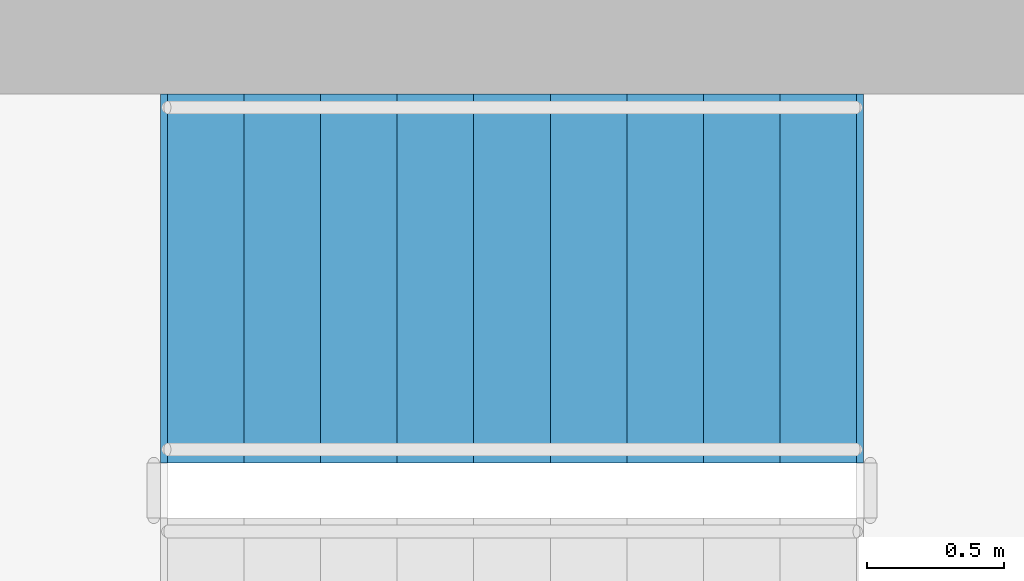
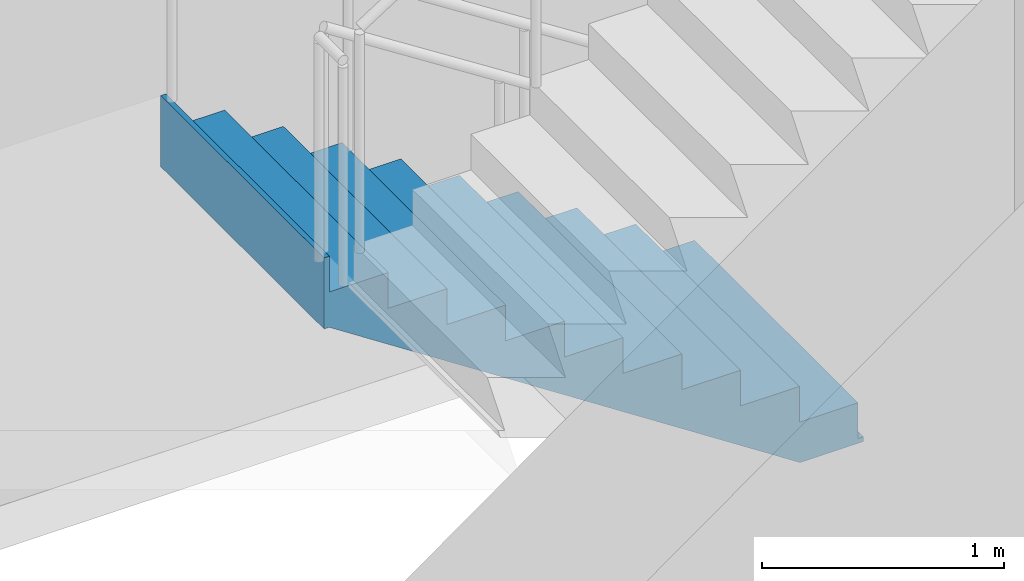
# One storey, part 22 of 24: 1 stair flight, 1 element without a shape of its own.
"""IFC4 building model written with IfcOpenShell, lengths in metres."""

from ifc_helpers import new_model, si_unit, direction, frame, origin, place, context, subcontext, project, spatial, polyline, outline, extrude, material, type_object, element, aggregate, save


model = new_model("IFC4")

# Units and contexts
model_context = context("Model", 3, precision=1e-05, world=origin(), true_north=direction((0.0, 1.0)))
body_context = subcontext(model_context, "Body", "Model", "MODEL_VIEW")
ifc_project = project(units=[si_unit("LENGTHUNIT", "METRE"), si_unit("AREAUNIT", "SQUARE_METRE"), si_unit("VOLUMEUNIT", "CUBIC_METRE"), si_unit("PLANEANGLEUNIT", "RADIAN"), si_unit("MASSUNIT", "GRAM", prefix="KILO")], contexts=[model_context])

# Site, building, storey
site_placement = place(None, origin())
site = spatial("IfcSite", under=ifc_project, at=site_placement, CompositionType="ELEMENT")
building_placement = place(site_placement, origin())
building = spatial("IfcBuilding", under=site, at=building_placement, Name="Barlavira Tower and Art Museum", CompositionType="ELEMENT")
storey_placement = place(building_placement, frame((0.0, 0.0, 272.699951171875)))
storey = spatial("IfcBuildingStorey", under=building, at=storey_placement, Name="L71", CompositionType="ELEMENT", Elevation=272.699951171875)

# Stair, stair flight
ifc_material_1 = material(Name="Concrete C45", Category="concrete")
stair_type = type_object("IfcStairType", Name="Tower South Dog-Leg Exit Stair Assembly Concrete C45", PredefinedType="TWO_QUARTER_TURN_STAIR", material=ifc_material_1)
stair_placement = place(storey_placement, origin())
stair = element("IfcStair", 1, at=stair_placement, inside=storey, type_object=stair_type, Name="L71 Tower South Exit Stair ST-T1", PredefinedType="TWO_QUARTER_TURN_STAIR")
ifc_material_2 = material(Name="Precast concrete C45", Category="concrete")
stair_flight_type = type_object("IfcStairFlightType", Name="Tower South Dog-Leg Exit Stair Precast Flight 1350 Concrete C45", PredefinedType="STRAIGHT", material=ifc_material_2)
stair_flight_placement = place(storey_placement, frame((0.14990234375, -5.02490234375, 0.0), z_axis=(0.0, 0.0, 1.0), x_axis=(-1.0, 0.0, 0.0)))
stair_flight = element("IfcStairFlight", 2, at=stair_flight_placement, type_object=stair_flight_type, Name="ST-T1 flight 1", NumberOfRisers=10, NumberOfTreads=9, PredefinedType="STRAIGHT", RiserHeight=0.18, TreadLength=0.28, context=body_context, shape_type="SweptSolid", body=[
    extrude(outline(polyline([(-0.02490234375, 0.0), (0.0, 0.0), (0.0, 0.179931640625), (0.280029296875, 0.179931640625), (0.280029296875, 0.360107421875), (0.56005859375, 0.360107421875), (0.56005859375, 0.5400390625), (0.840087890625, 0.5400390625), (0.840087890625, 0.719970703125), (1.1201171875, 0.719970703125), (1.1201171875, 0.89990234375), (1.39990234375, 0.89990234375), (1.39990234375, 1.080078125), (1.679931640625, 1.080078125), (1.679931640625, 1.260009765625), (1.9599609375, 1.260009765625), (1.9599609375, 1.43994140625), (2.239990234375, 1.43994140625), (2.239990234375, 1.6201171875), (2.52001953125, 1.6201171875), (2.52001953125, 1.800048828125), (2.544921875, 1.800048828125), (2.544921875, 1.44189453125), (2.52001953125, 1.44189453125), (0.277099609375, -0.02490234375), (-0.02490234375, -0.02490234375), (-0.02490234375, 0.0)])), frame((0.0, 0.675048828125, 0.0), z_axis=(0.0, -1.0, 0.0), x_axis=(1.0, 0.0, 0.0)), (0.0, 0.0, 1.0), 1.35009765625),
])
aggregate(stair, [stair_flight])

save(model, "model.ifc")
